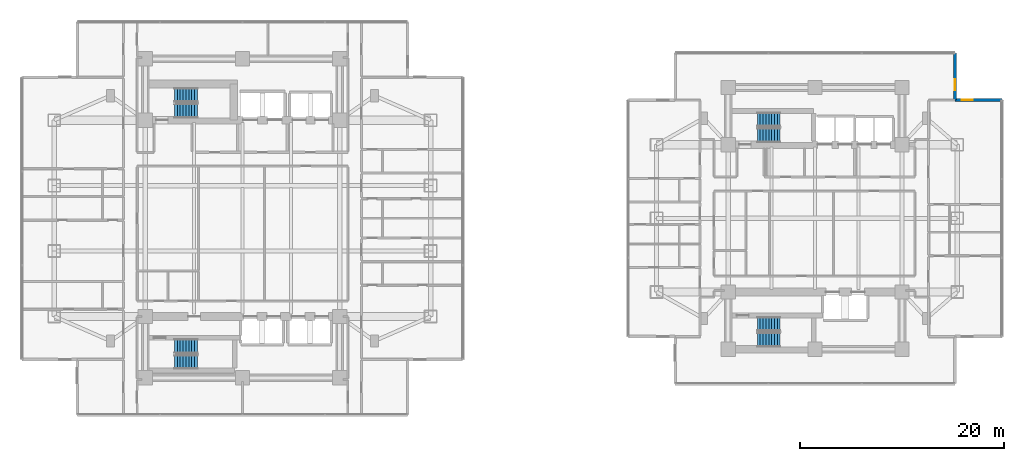
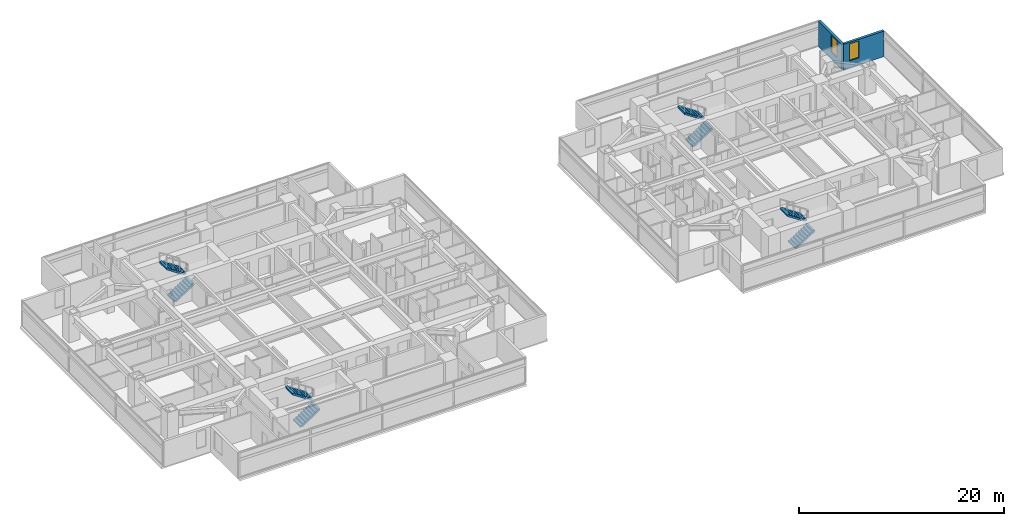
# One storey, part 18 of 23: 8 stair flights, 2 walls, 2 windows, 2 openings, 4 elements without a shape of their own.
"""IFC4 building model written with IfcOpenShell, lengths in metres."""

import ifcopenshell
import ifcopenshell.guid

model = None  # the IFC model being written
_history = None  # IfcOwnerHistory: only IFC2X3 demands one
_inside = {}  # id of a spatial element -> (the spatial element, [elements in it])
_under = {}  # id of a project, library or spatial element -> (it, [spatial elements below it])
_declared = {}  # id of a project -> (the project, [libraries it declares])
_typed = {}  # id of a type object -> (the type object, [elements of that type])
_made_of = {}  # id of a material, layer set ... -> (it, [elements and type objects made of it])


def new_model(schema):
    """Start an empty IFC model of exactly this schema.

    Asked for "IFC4X3", IfcOpenShell would pick the latest addendum, in which some entities
    have other attributes; the version numbers below select the first issue.
    IFC2X3 requires an IfcOwnerHistory on every rooted entity: one is made here for all.
    """
    global model, _history
    if schema == "IFC4X3":
        model = ifcopenshell.file(schema_version=(4, 3, 0, 0))
    else:
        model = ifcopenshell.file(schema=schema)
    _inside.clear()
    _under.clear()
    _declared.clear()
    _typed.clear()
    _made_of.clear()
    _history = None
    if model.schema == "IFC2X3":
        org = make("IfcOrganization", Name="unknown")
        user = make(
            "IfcPersonAndOrganization",
            ThePerson=make("IfcPerson", FamilyName="unknown"),
            TheOrganization=org,
        )
        app = make(
            "IfcApplication",
            ApplicationDeveloper=org,
            Version="unknown",
            ApplicationFullName="unknown",
            ApplicationIdentifier="unknown",
        )
        _history = make(
            "IfcOwnerHistory",
            OwningUser=user,
            OwningApplication=app,
            ChangeAction="ADDED",
            CreationDate=0,
        )
    return model


def make(cls, **values):
    """One entity of the class cls with the attributes given. An attribute that is None is left unset."""
    return model.create_entity(
        cls, **{name: value for name, value in values.items() if value is not None}
    )


def rooted(cls, **values):
    """An entity with a GlobalId (a new one), such as an element, a storey or a relation."""
    return make(cls, GlobalId=ifcopenshell.guid.new(), OwnerHistory=_history, **values)


def si_unit(unit_type, name, prefix=None):
    """IfcSIUnit, for example si_unit("LENGTHUNIT", "METRE", prefix="MILLI")."""
    return make("IfcSIUnit", UnitType=unit_type, Prefix=prefix, Name=name)


def assignment(units):
    """IfcUnitAssignment: the units of a project."""
    return None if units is None else make("IfcUnitAssignment", Units=units)


def point(xyz):
    """IfcCartesianPoint."""
    return None if xyz is None else make("IfcCartesianPoint", Coordinates=xyz)


def direction(xyz):
    """IfcDirection."""
    return None if xyz is None else make("IfcDirection", DirectionRatios=xyz)


def frame(location, z_axis=None, x_axis=None):
    """IfcAxis2Placement3D, a coordinate frame: its origin and axes. An axis left out is left unset."""
    return make(
        "IfcAxis2Placement3D",
        Location=point(location),
        Axis=direction(z_axis),
        RefDirection=direction(x_axis),
    )


def frame_2d(location, x_axis=None):
    """IfcAxis2Placement2D, a coordinate frame in the plane: its origin and x axis."""
    return make(
        "IfcAxis2Placement2D", Location=point(location), RefDirection=direction(x_axis)
    )


def origin():
    """The frame at (0, 0, 0) with its axes left unset."""
    return frame((0.0, 0.0, 0.0))


def place(relative_to, where):
    """IfcLocalPlacement: puts the frame where relative to a parent placement (None: the world)."""
    return make(
        "IfcLocalPlacement", PlacementRelTo=relative_to, RelativePlacement=where
    )


def context(
    kind, dimensions, precision=None, world=None, true_north=None, identifier=None
):
    """IfcGeometricRepresentationContext, for example the 3D "Model" context."""
    return make(
        "IfcGeometricRepresentationContext",
        ContextIdentifier=identifier,
        ContextType=kind,
        CoordinateSpaceDimension=dimensions,
        Precision=precision,
        WorldCoordinateSystem=world,
        TrueNorth=true_north,
    )


def subcontext(parent, identifier, kind, view, scale=None):
    """IfcGeometricRepresentationSubContext, for example "Body" below "Model"."""
    return make(
        "IfcGeometricRepresentationSubContext",
        ContextIdentifier=identifier,
        ContextType=kind,
        ParentContext=parent,
        TargetScale=scale,
        TargetView=view,
    )


def project(units=None, contexts=None):
    """IfcProject with its units and contexts."""
    return rooted(
        "IfcProject",
        Name="project",
        RepresentationContexts=contexts,
        UnitsInContext=assignment(units),
    )


def spatial(cls, under=None, at=None, **own):
    """A site, building, storey or space (cls), placed at a placement, below another one or the project."""
    s = rooted(cls, ObjectPlacement=at, **own)
    if under is not None:
        _under.setdefault(under.id(), (under, []))[1].append(s)
    return s


def polyline(points):
    """IfcPolyline through the points."""
    return make("IfcPolyline", Points=[point(p) for p in points])


def profile(cls, at=None, kind="AREA", **sizes):
    """A parametric profile (cls). Its sizes go by their IFC names, for example OverallWidth=200.0."""
    return make(cls, ProfileType=kind, Position=at, **sizes)


def rectangle(**sizes):
    """IfcRectangleProfileDef."""
    return profile("IfcRectangleProfileDef", **sizes)


def outline(outer, holes=None, kind="AREA"):
    """IfcArbitraryClosedProfileDef: a profile drawn as a closed curve; with holes, ...WithVoids."""
    if holes is None:
        return make("IfcArbitraryClosedProfileDef", ProfileType=kind, OuterCurve=outer)
    return make(
        "IfcArbitraryProfileDefWithVoids",
        ProfileType=kind,
        OuterCurve=outer,
        InnerCurves=holes,
    )


def extrude(swept, where, along, depth):
    """IfcExtrudedAreaSolid: the profile swept, set in the frame where, extruded along a direction by depth."""
    return make(
        "IfcExtrudedAreaSolid",
        SweptArea=swept,
        Position=where,
        ExtrudedDirection=direction(along),
        Depth=depth,
    )


def shape(context_of_items, identifier, shape_type, items):
    """IfcShapeRepresentation: the items that make up one representation, for example the "Body"."""
    return make(
        "IfcShapeRepresentation",
        ContextOfItems=context_of_items,
        RepresentationIdentifier=identifier,
        RepresentationType=shape_type,
        Items=items,
    )


def material(Name=None, Category=None):
    """IfcMaterial."""
    return make("IfcMaterial", Name=Name, Category=Category)


def layer(
    of_material, thickness, ventilated=None, Name=None, Category=None, Priority=None
):
    """IfcMaterialLayer: one layer of a wall or slab, of a material (None: an air gap)."""
    return make(
        "IfcMaterialLayer",
        Material=of_material,
        LayerThickness=thickness,
        IsVentilated=ventilated,
        Name=Name,
        Category=Category,
        Priority=Priority,
    )


def layer_set(layers, Name=None):
    """IfcMaterialLayerSet."""
    return make("IfcMaterialLayerSet", MaterialLayers=layers, LayerSetName=Name)


def made_of(thing, what):
    """Note that an element or type object is made of a material, layer set ...; save() writes the relation."""
    if what is not None:
        _made_of.setdefault(what.id(), (what, []))[1].append(thing)
    return thing


def type_object(cls, material=None, **own):
    """A type object (cls), such as IfcWallType, which elements share."""
    return made_of(rooted(cls, **own), material)


def element(
    cls,
    number,
    at=None,
    inside=None,
    cuts=None,
    type_object=None,
    material=None,
    context=None,
    identifier="Body",
    shape_type=None,
    held_by="IfcProductDefinitionShape",
    body=None,
    shapes=None,
    **own,
):
    """One element of the class cls, such as IfcWall. Its Tag is "e" and its number.

    at: its placement. inside: the storey or other place that contains it. cuts: it is an
    opening in that element (IfcRelVoidsElement). A single representation is given by context,
    identifier, shape_type and body (its items); several are given by shapes. held_by: the class
    of the entity that holds the representations. save() writes the other relations.
    """
    e = rooted(cls, Tag="e%d" % number, ObjectPlacement=at, **own)
    if body is not None:
        shapes = [shape(context, identifier, shape_type, body)]
    if shapes is not None:
        e.Representation = make(held_by, Representations=shapes)
    if inside is not None:
        _inside.setdefault(inside.id(), (inside, []))[1].append(e)
    if cuts is not None:
        rooted(
            "IfcRelVoidsElement", RelatingBuildingElement=cuts, RelatedOpeningElement=e
        )
    if type_object is not None:
        _typed.setdefault(type_object.id(), (type_object, []))[1].append(e)
    return made_of(e, material)


def fill(opening, filler):
    """IfcRelFillsElement: the door or window that sits in an opening."""
    return rooted(
        "IfcRelFillsElement",
        RelatingOpeningElement=opening,
        RelatedBuildingElement=filler,
    )


def aggregate(whole, parts):
    """IfcRelAggregates: a whole, such as a stair, and the parts it consists of."""
    return rooted("IfcRelAggregates", RelatingObject=whole, RelatedObjects=parts)


def save(model, path):
    """Write the relations noted so far, then the file.

    IfcRelAggregates (storeys below a building ...), IfcRelContainedInSpatialStructure (elements
    in a storey), IfcRelDefinesByType, IfcRelAssociatesMaterial and IfcRelDeclares: one each for
    every whole, place, type object, material and project.
    """
    for whole, parts in _under.values():
        aggregate(whole, parts)
    for where, things in _inside.values():
        rooted(
            "IfcRelContainedInSpatialStructure",
            RelatedElements=things,
            RelatingStructure=where,
        )
    for kind, things in _typed.values():
        rooted("IfcRelDefinesByType", RelatedObjects=things, RelatingType=kind)
    for what, things in _made_of.values():
        rooted("IfcRelAssociatesMaterial", RelatedObjects=things, RelatingMaterial=what)
    for by, libraries in _declared.values():
        rooted("IfcRelDeclares", RelatingContext=by, RelatedDefinitions=libraries)
    model.write(path)


model = new_model("IFC4")

# Units and contexts
model_context = context("Model", 3, precision=1e-05, world=origin(), true_north=direction((0.0, 1.0)))
body_context = subcontext(model_context, "Body", "Model", "MODEL_VIEW")
ifc_project = project(units=[si_unit("LENGTHUNIT", "METRE"), si_unit("AREAUNIT", "SQUARE_METRE"), si_unit("VOLUMEUNIT", "CUBIC_METRE"), si_unit("PLANEANGLEUNIT", "RADIAN"), si_unit("MASSUNIT", "GRAM", prefix="KILO")], contexts=[model_context])

# Site, building, storey
site_placement = place(None, origin())
site = spatial("IfcSite", under=ifc_project, at=site_placement, CompositionType="ELEMENT")
building_placement = place(site_placement, origin())
building = spatial("IfcBuilding", under=site, at=building_placement, Name="Mirazonda Arch Towers", CompositionType="ELEMENT")
storey_placement = place(building_placement, frame((0.0, 0.0, 29.0)))
storey = spatial("IfcBuildingStorey", under=building, at=storey_placement, Name="L07", CompositionType="ELEMENT", Elevation=29.0)

# Wall, opening, window
ifc_material_1 = material(Name="Precast Concrete C40/50", Category="concrete")
ifc_layer = layer(ifc_material_1, 0.280029296875, Name="WALL-EXT-WALL-280")
ifc_layer_set = layer_set([ifc_layer], Name="Precast Concrete C40/50")
wall_type = type_object("IfcWallType", Name="WALL-EXT-WALL-280", PredefinedType="SOLIDWALL", material=ifc_layer_set)
wall_1_placement = place(storey_placement, frame((90.176025390625, 39.566650390625, 0.0), z_axis=(0.0, 0.0, 1.0), x_axis=(0.0, 1.0, 0.0)))
wall_1 = element("IfcWall", 1, at=wall_1_placement, inside=storey, type_object=wall_type, Name="L07 T2 Notched NE Corner Wall WL-L07-T2-CNE", PredefinedType="SOLIDWALL", context=body_context, shape_type="SweptSolid", body=[
    extrude(rectangle(XDim=4.579833984375, YDim=0.280029296875, at=frame_2d((2.2900390625, 0.0))), origin(), (0.0, 0.0, 1.0), 3.0400390625),
])
opening_1_placement = place(wall_1_placement, frame((0.949951171875, 0.0, 0.85009765625)))
opening_1 = element("IfcOpeningElement", 2, at=opening_1_placement, cuts=wall_1, Name="Opening WN-108", PredefinedType="OPENING", context=body_context, shape_type="SweptSolid", body=[
    extrude(rectangle(XDim=1.10009765625, YDim=2.0, at=frame_2d((0.550048828125, 1.0))), frame((0.0, 0.14990234375, 0.0), z_axis=(0.0, -1.0, 0.0), x_axis=(1.0, 0.0, 0.0)), (0.0, 0.0, 1.0), 0.300048828125),
])
ifc_material_2 = material(Name="Insulated Low-E Solar Glass", Category="glass")
window_type = type_object("IfcWindowType", Name="WIN-NOTCH-1100x2000", PartitioningType="SINGLE_PANEL", PredefinedType="WINDOW", material=ifc_material_2)
window_1_placement = place(opening_1_placement, origin())
window_1 = element("IfcWindow", 3, at=window_1_placement, inside=storey, type_object=window_type, Name="L07 Punched Facade Window WN-L07-T2-CNE", OverallHeight=2.0, OverallWidth=1.10009765625, PartitioningType="SINGLE_PANEL", PredefinedType="WINDOW", context=body_context, shape_type="SweptSolid", body=[
    extrude(rectangle(XDim=1.10009765625, YDim=2.0, at=frame_2d((0.550048828125, 1.0))), frame((0.0, 0.030029296875, 0.0), z_axis=(0.0, -1.0, 0.0), x_axis=(1.0, 0.0, 0.0)), (0.0, 0.0, 1.0), 0.06005859375),
])
fill(opening_1, window_1)

wall_2_placement = place(storey_placement, frame((94.756103515625, 39.566650390625, 0.0), z_axis=(0.0, 0.0, 1.0), x_axis=(-1.0, 0.0, 0.0)))
wall_2 = element("IfcWall", 4, at=wall_2_placement, inside=storey, type_object=wall_type, Name="L07 T2 Corner Notch Return Wall WL-L07-T2-CNE2", PredefinedType="SOLIDWALL", context=body_context, shape_type="SweptSolid", body=[
    extrude(rectangle(XDim=4.580078125, YDim=0.280029296875, at=frame_2d((2.2900390625, 0.0))), origin(), (0.0, 0.0, 1.0), 3.0400390625),
])
opening_2_placement = place(wall_2_placement, frame((2.830078125, 0.0, 0.85009765625)))
opening_2 = element("IfcOpeningElement", 5, at=opening_2_placement, cuts=wall_2, Name="Opening WN-108", PredefinedType="OPENING", context=body_context, shape_type="SweptSolid", body=[
    extrude(rectangle(XDim=1.10009765625, YDim=2.0, at=frame_2d((0.550048828125, 1.0))), frame((0.0, 0.14990234375, 0.0), z_axis=(0.0, -1.0, 0.0), x_axis=(1.0, 0.0, 0.0)), (0.0, 0.0, 1.0), 0.300048828125),
])
window_2_placement = place(opening_2_placement, origin())
window_2 = element("IfcWindow", 6, at=window_2_placement, inside=storey, type_object=window_type, Name="L07 Punched Facade Window WN-L07-T2-CNE2", OverallHeight=2.0, OverallWidth=1.10009765625, PartitioningType="SINGLE_PANEL", PredefinedType="WINDOW", context=body_context, shape_type="SweptSolid", body=[
    extrude(rectangle(XDim=1.10009765625, YDim=2.0, at=frame_2d((0.550048828125, 1.0))), frame((0.0, 0.030029296875, 0.0), z_axis=(0.0, -1.0, 0.0), x_axis=(1.0, 0.0, 0.0)), (0.0, 0.0, 1.0), 0.06005859375),
])
fill(opening_2, window_2)

# Stair, stair flights
ifc_material_3 = material(Name="Concrete C40/50", Category="concrete")
stair_type = type_object("IfcStairType", Name="STAIR-CORE-1400", PredefinedType="HALF_TURN_STAIR", material=ifc_material_3)
stair_1_placement = place(storey_placement, origin())
stair_1 = element("IfcStair", 7, at=stair_1_placement, inside=storey, type_object=stair_type, Name="L07 Protected Exit Stair ST-T1N", PredefinedType="HALF_TURN_STAIR")
stair_flight_type = type_object("IfcStairFlightType", Name="FLIGHT-1400", PredefinedType="STRAIGHT", material=ifc_material_3)
stair_flight_1_placement = place(storey_placement, frame((13.85009765625, 38.52001953125, 0.0), z_axis=(0.0, 0.0, 1.0), x_axis=(1.0, 0.0, 0.0)))
stair_flight_1 = element("IfcStairFlight", 8, at=stair_flight_1_placement, type_object=stair_flight_type, Name="ST-T1N flight 1", NumberOfRisers=9, NumberOfTreads=8, PredefinedType="STRAIGHT", RiserHeight=0.183333333, TreadLength=0.28, context=body_context, shape_type="SweptSolid", body=[
    extrude(outline(polyline([(0.0, 0.0), (0.0, 0.183349609375), (0.280029296875, 0.183349609375), (0.280029296875, 0.36669921875), (0.56005859375, 0.36669921875), (0.56005859375, 0.550048828125), (0.840087890625, 0.550048828125), (0.840087890625, 0.7333984375), (1.1201171875, 0.7333984375), (1.1201171875, 0.916748046875), (1.39990234375, 0.916748046875), (1.39990234375, 1.10009765625), (1.679931640625, 1.10009765625), (1.679931640625, 1.283447265625), (1.9599609375, 1.283447265625), (1.9599609375, 1.466552734375), (2.239990234375, 1.466552734375), (2.239990234375, 1.64990234375), (2.239990234375, 1.275634765625), (0.2919921875, 0.0), (0.0, 0.0)])), frame((0.0, 0.699951171875, 0.0), z_axis=(0.0, -1.0, 0.0), x_axis=(1.0, 0.0, 0.0)), (0.0, 0.0, 1.0), 1.39990234375),
])
stair_flight_2_placement = place(storey_placement, frame((16.090087890625, 40.06005859375, 1.64990234375), z_axis=(0.0, 0.0, 1.0), x_axis=(-1.0, 0.0, 0.0)))
stair_flight_2 = element("IfcStairFlight", 9, at=stair_flight_2_placement, type_object=stair_flight_type, Name="ST-T1N flight 2", NumberOfRisers=9, NumberOfTreads=8, PredefinedType="STRAIGHT", RiserHeight=0.183333333, TreadLength=0.28, context=body_context, shape_type="SweptSolid", body=[
    extrude(outline(polyline([(0.0, 0.0), (0.0, 0.183349609375), (0.280029296875, 0.183349609375), (0.280029296875, 0.36669921875), (0.56005859375, 0.36669921875), (0.56005859375, 0.550048828125), (0.840087890625, 0.550048828125), (0.840087890625, 0.7333984375), (1.1201171875, 0.7333984375), (1.1201171875, 0.916748046875), (1.39990234375, 0.916748046875), (1.39990234375, 1.10009765625), (1.679931640625, 1.10009765625), (1.679931640625, 1.283447265625), (1.9599609375, 1.283447265625), (1.9599609375, 1.466552734375), (2.239990234375, 1.466552734375), (2.239990234375, 1.64990234375), (2.239990234375, 1.275634765625), (0.2919921875, 0.0), (0.0, 0.0)])), frame((0.0, 0.699951171875, 0.0), z_axis=(0.0, -1.0, 0.0), x_axis=(1.0, 0.0, 0.0)), (0.0, 0.0, 1.0), 1.39990234375),
])
aggregate(stair_1, [stair_flight_1, stair_flight_2])

stair_2_placement = place(storey_placement, origin())
stair_2 = element("IfcStair", 10, at=stair_2_placement, inside=storey, type_object=stair_type, Name="L07 Protected Exit Stair ST-T1S", PredefinedType="HALF_TURN_STAIR")
stair_flight_3_placement = place(storey_placement, frame((13.85009765625, 13.949951171875, 0.0), z_axis=(0.0, 0.0, 1.0), x_axis=(1.0, 0.0, 0.0)))
stair_flight_3 = element("IfcStairFlight", 11, at=stair_flight_3_placement, type_object=stair_flight_type, Name="ST-T1S flight 1", NumberOfRisers=9, NumberOfTreads=8, PredefinedType="STRAIGHT", RiserHeight=0.183333333, TreadLength=0.28, context=body_context, shape_type="SweptSolid", body=[
    extrude(outline(polyline([(0.0, 0.0), (0.0, 0.183349609375), (0.280029296875, 0.183349609375), (0.280029296875, 0.36669921875), (0.56005859375, 0.36669921875), (0.56005859375, 0.550048828125), (0.840087890625, 0.550048828125), (0.840087890625, 0.7333984375), (1.1201171875, 0.7333984375), (1.1201171875, 0.916748046875), (1.39990234375, 0.916748046875), (1.39990234375, 1.10009765625), (1.679931640625, 1.10009765625), (1.679931640625, 1.283447265625), (1.9599609375, 1.283447265625), (1.9599609375, 1.466552734375), (2.239990234375, 1.466552734375), (2.239990234375, 1.64990234375), (2.239990234375, 1.275634765625), (0.2919921875, 0.0), (0.0, 0.0)])), frame((0.0, 0.699951171875, 0.0), z_axis=(0.0, -1.0, 0.0), x_axis=(1.0, 0.0, 0.0)), (0.0, 0.0, 1.0), 1.39990234375),
])
stair_flight_4_placement = place(storey_placement, frame((16.090087890625, 15.489990234375, 1.64990234375), z_axis=(0.0, 0.0, 1.0), x_axis=(-1.0, 0.0, 0.0)))
stair_flight_4 = element("IfcStairFlight", 12, at=stair_flight_4_placement, type_object=stair_flight_type, Name="ST-T1S flight 2", NumberOfRisers=9, NumberOfTreads=8, PredefinedType="STRAIGHT", RiserHeight=0.183333333, TreadLength=0.28, context=body_context, shape_type="SweptSolid", body=[
    extrude(outline(polyline([(0.0, 0.0), (0.0, 0.183349609375), (0.280029296875, 0.183349609375), (0.280029296875, 0.36669921875), (0.56005859375, 0.36669921875), (0.56005859375, 0.550048828125), (0.840087890625, 0.550048828125), (0.840087890625, 0.7333984375), (1.1201171875, 0.7333984375), (1.1201171875, 0.916748046875), (1.39990234375, 0.916748046875), (1.39990234375, 1.10009765625), (1.679931640625, 1.10009765625), (1.679931640625, 1.283447265625), (1.9599609375, 1.283447265625), (1.9599609375, 1.466552734375), (2.239990234375, 1.466552734375), (2.239990234375, 1.64990234375), (2.239990234375, 1.275634765625), (0.2919921875, 0.0), (0.0, 0.0)])), frame((0.0, 0.699951171875, 0.0), z_axis=(0.0, -1.0, 0.0), x_axis=(1.0, 0.0, 0.0)), (0.0, 0.0, 1.0), 1.39990234375),
])
aggregate(stair_2, [stair_flight_3, stair_flight_4])

stair_3_placement = place(storey_placement, origin())
stair_3 = element("IfcStair", 13, at=stair_3_placement, inside=storey, type_object=stair_type, Name="L07 Protected Exit Stair ST-T2N", PredefinedType="HALF_TURN_STAIR")
stair_flight_5_placement = place(storey_placement, frame((70.85009765625, 36.1201171875, 0.0), z_axis=(0.0, 0.0, 1.0), x_axis=(1.0, 0.0, 0.0)))
stair_flight_5 = element("IfcStairFlight", 14, at=stair_flight_5_placement, type_object=stair_flight_type, Name="ST-T2N flight 1", NumberOfRisers=9, NumberOfTreads=8, PredefinedType="STRAIGHT", RiserHeight=0.183333333, TreadLength=0.28, context=body_context, shape_type="SweptSolid", body=[
    extrude(outline(polyline([(0.0, 0.0), (0.0, 0.183349609375), (0.280029296875, 0.183349609375), (0.280029296875, 0.36669921875), (0.56005859375, 0.36669921875), (0.56005859375, 0.550048828125), (0.840087890625, 0.550048828125), (0.840087890625, 0.7333984375), (1.1201171875, 0.7333984375), (1.1201171875, 0.916748046875), (1.39990234375, 0.916748046875), (1.39990234375, 1.10009765625), (1.679931640625, 1.10009765625), (1.679931640625, 1.283447265625), (1.9599609375, 1.283447265625), (1.9599609375, 1.466552734375), (2.239990234375, 1.466552734375), (2.239990234375, 1.64990234375), (2.239990234375, 1.275634765625), (0.2919921875, 0.0), (0.0, 0.0)])), frame((0.0, 0.699951171875, 0.0), z_axis=(0.0, -1.0, 0.0), x_axis=(1.0, 0.0, 0.0)), (0.0, 0.0, 1.0), 1.39990234375),
])
stair_flight_6_placement = place(storey_placement, frame((73.090087890625, 37.659912109375, 1.64990234375), z_axis=(0.0, 0.0, 1.0), x_axis=(-1.0, 0.0, 0.0)))
stair_flight_6 = element("IfcStairFlight", 15, at=stair_flight_6_placement, type_object=stair_flight_type, Name="ST-T2N flight 2", NumberOfRisers=9, NumberOfTreads=8, PredefinedType="STRAIGHT", RiserHeight=0.183333333, TreadLength=0.28, context=body_context, shape_type="SweptSolid", body=[
    extrude(outline(polyline([(0.0, 0.0), (0.0, 0.183349609375), (0.280029296875, 0.183349609375), (0.280029296875, 0.36669921875), (0.56005859375, 0.36669921875), (0.56005859375, 0.550048828125), (0.840087890625, 0.550048828125), (0.840087890625, 0.7333984375), (1.1201171875, 0.7333984375), (1.1201171875, 0.916748046875), (1.39990234375, 0.916748046875), (1.39990234375, 1.10009765625), (1.679931640625, 1.10009765625), (1.679931640625, 1.283447265625), (1.9599609375, 1.283447265625), (1.9599609375, 1.466552734375), (2.239990234375, 1.466552734375), (2.239990234375, 1.64990234375), (2.239990234375, 1.275634765625), (0.2919921875, 0.0), (0.0, 0.0)])), frame((0.0, 0.699951171875, 0.0), z_axis=(0.0, -1.0, 0.0), x_axis=(1.0, 0.0, 0.0)), (0.0, 0.0, 1.0), 1.39990234375),
])
aggregate(stair_3, [stair_flight_5, stair_flight_6])

stair_4_placement = place(storey_placement, origin())
stair_4 = element("IfcStair", 16, at=stair_4_placement, inside=storey, type_object=stair_type, Name="L07 Protected Exit Stair ST-T2S", PredefinedType="HALF_TURN_STAIR")
stair_flight_7_placement = place(storey_placement, frame((70.85009765625, 16.1201171875, 0.0), z_axis=(0.0, 0.0, 1.0), x_axis=(1.0, 0.0, 0.0)))
stair_flight_7 = element("IfcStairFlight", 17, at=stair_flight_7_placement, type_object=stair_flight_type, Name="ST-T2S flight 1", NumberOfRisers=9, NumberOfTreads=8, PredefinedType="STRAIGHT", RiserHeight=0.183333333, TreadLength=0.28, context=body_context, shape_type="SweptSolid", body=[
    extrude(outline(polyline([(0.0, 0.0), (0.0, 0.183349609375), (0.280029296875, 0.183349609375), (0.280029296875, 0.36669921875), (0.56005859375, 0.36669921875), (0.56005859375, 0.550048828125), (0.840087890625, 0.550048828125), (0.840087890625, 0.7333984375), (1.1201171875, 0.7333984375), (1.1201171875, 0.916748046875), (1.39990234375, 0.916748046875), (1.39990234375, 1.10009765625), (1.679931640625, 1.10009765625), (1.679931640625, 1.283447265625), (1.9599609375, 1.283447265625), (1.9599609375, 1.466552734375), (2.239990234375, 1.466552734375), (2.239990234375, 1.64990234375), (2.239990234375, 1.275634765625), (0.2919921875, 0.0), (0.0, 0.0)])), frame((0.0, 0.699951171875, 0.0), z_axis=(0.0, -1.0, 0.0), x_axis=(1.0, 0.0, 0.0)), (0.0, 0.0, 1.0), 1.39990234375),
])
stair_flight_8_placement = place(storey_placement, frame((73.090087890625, 17.659912109375, 1.64990234375), z_axis=(0.0, 0.0, 1.0), x_axis=(-1.0, 0.0, 0.0)))
stair_flight_8 = element("IfcStairFlight", 18, at=stair_flight_8_placement, type_object=stair_flight_type, Name="ST-T2S flight 2", NumberOfRisers=9, NumberOfTreads=8, PredefinedType="STRAIGHT", RiserHeight=0.183333333, TreadLength=0.28, context=body_context, shape_type="SweptSolid", body=[
    extrude(outline(polyline([(0.0, 0.0), (0.0, 0.183349609375), (0.280029296875, 0.183349609375), (0.280029296875, 0.36669921875), (0.56005859375, 0.36669921875), (0.56005859375, 0.550048828125), (0.840087890625, 0.550048828125), (0.840087890625, 0.7333984375), (1.1201171875, 0.7333984375), (1.1201171875, 0.916748046875), (1.39990234375, 0.916748046875), (1.39990234375, 1.10009765625), (1.679931640625, 1.10009765625), (1.679931640625, 1.283447265625), (1.9599609375, 1.283447265625), (1.9599609375, 1.466552734375), (2.239990234375, 1.466552734375), (2.239990234375, 1.64990234375), (2.239990234375, 1.275634765625), (0.2919921875, 0.0), (0.0, 0.0)])), frame((0.0, 0.699951171875, 0.0), z_axis=(0.0, -1.0, 0.0), x_axis=(1.0, 0.0, 0.0)), (0.0, 0.0, 1.0), 1.39990234375),
])
aggregate(stair_4, [stair_flight_7, stair_flight_8])

save(model, "model.ifc")
